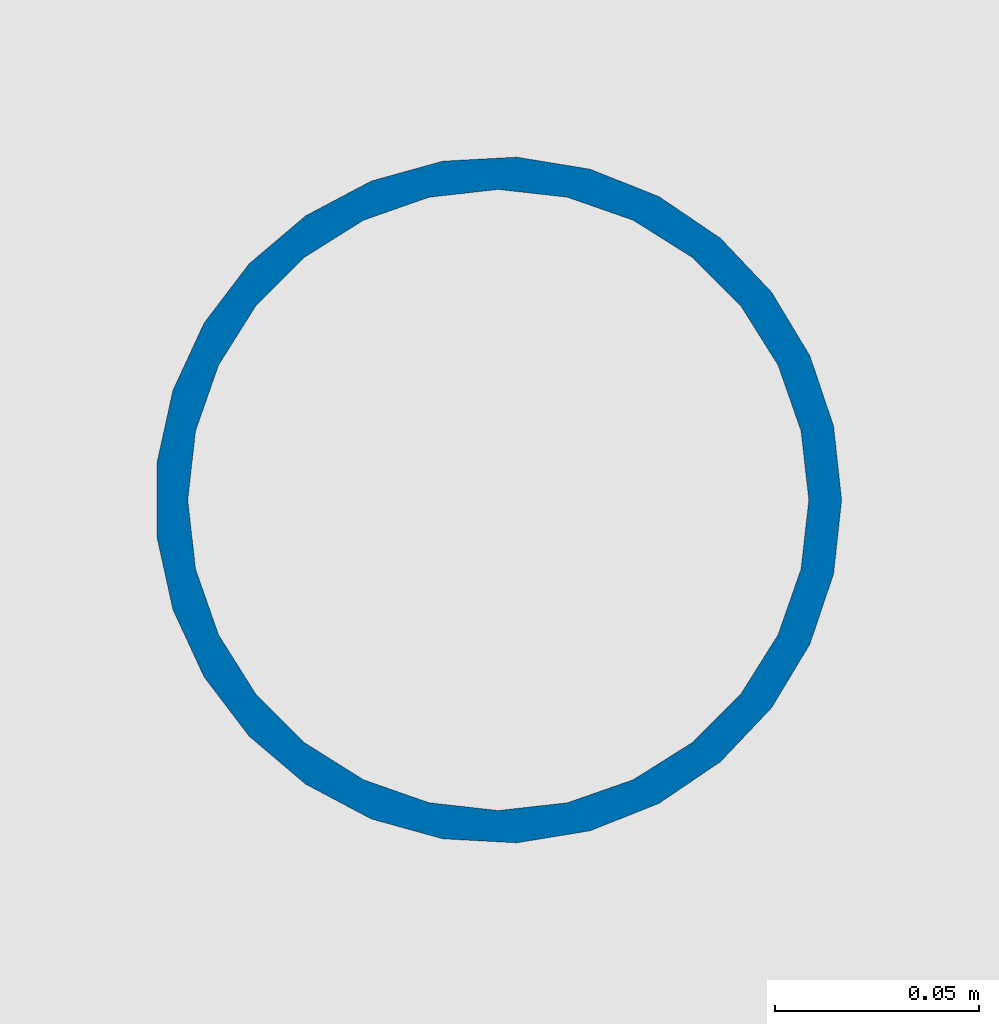
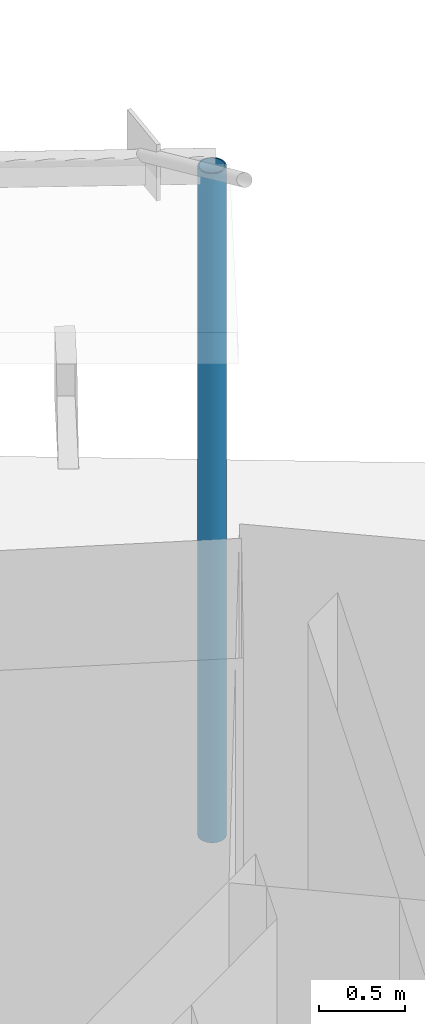
# One storey, part 21 of 60: 1 column.
"""IFC4 building model written with IfcOpenShell, lengths in metres."""

from ifc_helpers import new_model, si_unit, direction, frame, origin, origin_2d, place, context, subcontext, project, spatial, hollow_circle, extrude, material, material_profile, profile_set, type_object, element, save


model = new_model("IFC4")

# Units and contexts
model_context = context("Model", 3, precision=1e-05, world=origin(), true_north=direction((0.0, 1.0)))
body_context = subcontext(model_context, "Body", "Model", "MODEL_VIEW")
ifc_project = project(units=[si_unit("LENGTHUNIT", "METRE"), si_unit("AREAUNIT", "SQUARE_METRE"), si_unit("VOLUMEUNIT", "CUBIC_METRE"), si_unit("PLANEANGLEUNIT", "RADIAN"), si_unit("MASSUNIT", "GRAM", prefix="KILO")], contexts=[model_context])

# Site, building, storey
site_placement = place(None, origin())
site = spatial("IfcSite", under=ifc_project, at=site_placement, CompositionType="ELEMENT")
building_placement = place(site_placement, origin())
building = spatial("IfcBuilding", under=site, at=building_placement, Name="Taillehof Tower", CompositionType="ELEMENT")
storey_placement = place(building_placement, origin())
storey = spatial("IfcBuildingStorey", under=building, at=storey_placement, Name="L00", CompositionType="ELEMENT", Elevation=0.0)

# Column
ifc_material = material(Name="Steel S460M", Category="steel")
ifc_material_profile = material_profile(ifc_material, hollow_circle(Radius=0.084228515625, WallThickness=0.008056640625, at=origin_2d()), Name="CHS 168.3x8")
ifc_profile_set = profile_set([ifc_material_profile], Name="Steel S460M")
column_type = type_object("IfcColumnType", Name="Canopy post CHS 168.3x8", PredefinedType="COLUMN", material=ifc_profile_set)
column_placement = place(storey_placement, frame((28.780517578125, 28.573486328125, -0.199951171875), z_axis=(0.0, 0.0, 1.0), x_axis=(1.0, 0.0, 0.0)))
element("IfcColumn", 1, at=column_placement, inside=storey, type_object=column_type, Name="Canopy post E9", PredefinedType="COLUMN", context=body_context, shape_type="SweptSolid", body=[
    extrude(hollow_circle(Radius=0.084228515625, WallThickness=0.008056640625, at=origin_2d()), origin(), (0.0, 0.0, 1.0), 4.7548828125),
])

save(model, "model.ifc")
